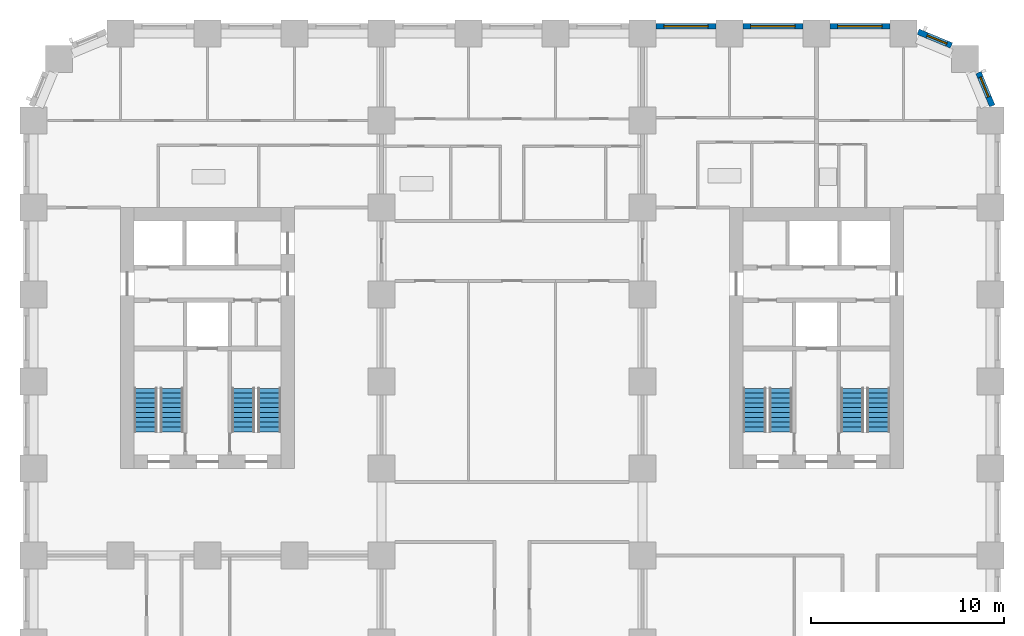
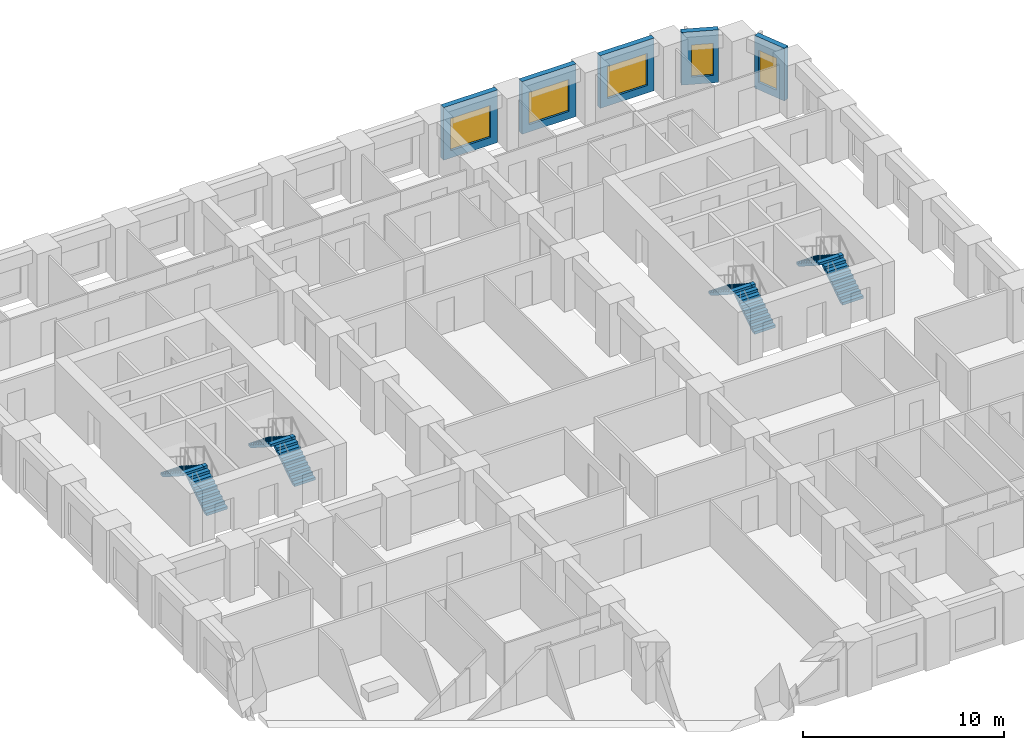
# One storey, part 10 of 13: 8 stair flights, 5 walls, 5 windows, 5 openings, 4 elements without a shape of their own.
"""IFC4 building model written with IfcOpenShell, lengths in metres."""

from ifc_helpers import new_model, si_unit, direction, frame, frame_2d, origin, place, context, subcontext, project, spatial, polyline, rectangle, outline, extrude, material, layer, layer_set, type_object, element, fill, aggregate, save


model = new_model("IFC4")

# Units and contexts
model_context = context("Model", 3, precision=1e-05, world=origin(), true_north=direction((0.0, 1.0)))
body_context = subcontext(model_context, "Body", "Model", "MODEL_VIEW")
ifc_project = project(units=[si_unit("LENGTHUNIT", "METRE"), si_unit("AREAUNIT", "SQUARE_METRE"), si_unit("VOLUMEUNIT", "CUBIC_METRE"), si_unit("PLANEANGLEUNIT", "RADIAN"), si_unit("MASSUNIT", "GRAM", prefix="KILO")], contexts=[model_context])

# Site, building, storey
site_placement = place(None, origin())
site = spatial("IfcSite", under=ifc_project, at=site_placement, CompositionType="ELEMENT")
building_placement = place(site_placement, origin())
building = spatial("IfcBuilding", under=site, at=building_placement, Name="Girih Gate Residences", CompositionType="ELEMENT")
storey_placement = place(building_placement, frame((0.0, 0.0, 49.60009765625)))
storey = spatial("IfcBuildingStorey", under=building, at=storey_placement, Name="L12", CompositionType="ELEMENT", Elevation=49.60009765625)

# Wall, opening, window
ifc_material_1 = material(Name="Precast concrete C50/60", Category="concrete")
ifc_layer_1 = layer(ifc_material_1, 0.080078125, Name="Outer leaf")
ifc_material_2 = material(Name="Rigid PIR insulation")
ifc_layer_2 = layer(ifc_material_2, 0.14990234375, Name="Insulation")
ifc_material_3 = material(Name="Precast concrete C40/50", Category="concrete")
ifc_layer_3 = layer(ifc_material_3, 0.070068359375, Name="Inner leaf")
ifc_layer_set = layer_set([ifc_layer_1, ifc_layer_2, ifc_layer_3], Name="Precast concrete C50/60 external wall 300")
wall_type = type_object("IfcWallType", Name="Precast concrete C50/60 external wall 300", PredefinedType="SOLIDWALL", material=ifc_layer_set)
wall_1_placement = place(storey_placement, frame((48.87841796875, 47.48046875, 0.0), z_axis=(0.0, 0.0, 1.0), x_axis=(0.38262540684, -0.923903565336, 0.0)))
wall_1 = element("IfcWall", 1, at=wall_1_placement, inside=storey, type_object=wall_type, Name="External wall NE0495_0450.0", PredefinedType="SOLIDWALL", context=body_context, shape_type="SweptSolid", body=[
    extrude(rectangle(XDim=1.864990234375, YDim=0.300048828125, at=frame_2d((0.9326171875, 0.0))), origin(), (0.0, 0.0, 1.0), 3.199951171875),
])
opening_1_placement = place(wall_1_placement, frame((0.257568359375, 0.0, 0.449951171875)))
opening_1 = element("IfcOpeningElement", 2, at=opening_1_placement, cuts=wall_1, Name="Opening W-2C", PredefinedType="OPENING", context=body_context, shape_type="SweptSolid", body=[
    extrude(rectangle(XDim=1.10009765625, YDim=1.949951171875, at=frame_2d((0.550048828125, 0.97509765625))), frame((0.0, 0.159912109375, 0.0), z_axis=(0.0, -1.0, 0.0), x_axis=(1.0, 0.0, 0.0)), (0.0, 0.0, 1.0), 0.320068359375),
])
ifc_material_4 = material(Name="Double glazing in aluminium frame", Category="aluminium")
window_type_1 = type_object("IfcWindowType", Name="Window W-2C 1100x1950", PartitioningType="SINGLE_PANEL", PredefinedType="WINDOW", material=ifc_material_4)
window_1_placement = place(opening_1_placement, origin())
window_1 = element("IfcWindow", 3, at=window_1_placement, inside=storey, type_object=window_type_1, Name="Window W-2C NE0495_0450.0", OverallHeight=1.949951171875, OverallWidth=1.10009765625, PartitioningType="SINGLE_PANEL", PredefinedType="WINDOW", context=body_context, shape_type="SweptSolid", body=[
    extrude(rectangle(XDim=1.10009765625, YDim=1.949951171875, at=frame_2d((0.550048828125, 0.97509765625))), frame((0.0, 0.030029296875, 0.0), z_axis=(0.0, -1.0, 0.0), x_axis=(1.0, 0.0, 0.0)), (0.0, 0.0, 1.0), 0.06005859375),
])
fill(opening_1, window_1)

wall_2_placement = place(storey_placement, frame((45.75732421875, 49.59228515625, 0.0), z_axis=(0.0, 0.0, 1.0), x_axis=(0.923857286003, -0.382737135771, 0.0)))
wall_2 = element("IfcWall", 4, at=wall_2_placement, inside=storey, type_object=wall_type, Name="External wall NE0482_0482.0", PredefinedType="SOLIDWALL", context=body_context, shape_type="SweptSolid", body=[
    extrude(rectangle(XDim=1.865234375, YDim=0.300048828125, at=frame_2d((0.9326171875, 0.0))), origin(), (0.0, 0.0, 1.0), 3.199951171875),
])
opening_2_placement = place(wall_2_placement, frame((0.507568359375, 0.0, 0.449951171875)))
opening_2 = element("IfcOpeningElement", 5, at=opening_2_placement, cuts=wall_2, Name="Opening W-2C", PredefinedType="OPENING", context=body_context, shape_type="SweptSolid", body=[
    extrude(rectangle(XDim=1.10009765625, YDim=1.949951171875, at=frame_2d((0.550048828125, 0.97509765625))), frame((0.0, 0.159912109375, 0.0), z_axis=(0.0, -1.0, 0.0), x_axis=(1.0, 0.0, 0.0)), (0.0, 0.0, 1.0), 0.320068359375),
])
window_2_placement = place(opening_2_placement, origin())
window_2 = element("IfcWindow", 6, at=window_2_placement, inside=storey, type_object=window_type_1, Name="Window W-2C NE0482_0482.0", OverallHeight=1.949951171875, OverallWidth=1.10009765625, PartitioningType="SINGLE_PANEL", PredefinedType="WINDOW", context=body_context, shape_type="SweptSolid", body=[
    extrude(rectangle(XDim=1.10009765625, YDim=1.949951171875, at=frame_2d((0.550048828125, 0.97509765625))), frame((0.0, 0.030029296875, 0.0), z_axis=(0.0, -1.0, 0.0), x_axis=(1.0, 0.0, 0.0)), (0.0, 0.0, 1.0), 0.06005859375),
])
fill(opening_2, window_2)

wall_3_placement = place(storey_placement, frame((41.199951171875, 49.875, 0.0), z_axis=(0.0, 0.0, 1.0), x_axis=(1.0, 0.0, 0.0)))
wall_3 = element("IfcWall", 7, at=wall_3_placement, inside=storey, type_object=wall_type, Name="External wall N0450_0495.0", PredefinedType="SOLIDWALL", context=body_context, shape_type="SweptSolid", body=[
    extrude(rectangle(XDim=3.10009765625, YDim=0.300048828125, at=frame_2d((1.550048828125, 0.0))), origin(), (0.0, 0.0, 1.0), 3.199951171875),
])
opening_3_placement = place(wall_3_placement, frame((0.39990234375, 0.0, 0.449951171875)))
opening_3 = element("IfcOpeningElement", 8, at=opening_3_placement, cuts=wall_3, Name="Opening W-1", PredefinedType="OPENING", context=body_context, shape_type="SweptSolid", body=[
    extrude(rectangle(XDim=2.300048828125, YDim=1.949951171875, at=frame_2d((1.14990234375, 0.97509765625))), frame((0.0, 0.159912109375, 0.0), z_axis=(0.0, -1.0, 0.0), x_axis=(1.0, 0.0, 0.0)), (0.0, 0.0, 1.0), 0.320068359375),
])
window_type_2 = type_object("IfcWindowType", Name="Window W-1 2300x1950", PartitioningType="SINGLE_PANEL", PredefinedType="WINDOW", material=ifc_material_4)
window_3_placement = place(opening_3_placement, origin())
window_3 = element("IfcWindow", 9, at=window_3_placement, inside=storey, type_object=window_type_2, Name="Window W-1 N0450_0495.0", OverallHeight=1.949951171875, OverallWidth=2.300048828125, PartitioningType="SINGLE_PANEL", PredefinedType="WINDOW", context=body_context, shape_type="SweptSolid", body=[
    extrude(rectangle(XDim=2.300048828125, YDim=1.949951171875, at=frame_2d((1.14990234375, 0.97509765625))), frame((0.0, 0.030029296875, 0.0), z_axis=(0.0, -1.0, 0.0), x_axis=(1.0, 0.0, 0.0)), (0.0, 0.0, 1.0), 0.06005859375),
])
fill(opening_3, window_3)

wall_4_placement = place(storey_placement, frame((36.699951171875, 49.875, 0.0), z_axis=(0.0, 0.0, 1.0), x_axis=(1.0, 0.0, 0.0)))
wall_4 = element("IfcWall", 10, at=wall_4_placement, inside=storey, type_object=wall_type, Name="External wall N0450_0495.1", PredefinedType="SOLIDWALL", context=body_context, shape_type="SweptSolid", body=[
    extrude(rectangle(XDim=3.10009765625, YDim=0.300048828125, at=frame_2d((1.550048828125, 0.0))), origin(), (0.0, 0.0, 1.0), 3.199951171875),
])
opening_4_placement = place(wall_4_placement, frame((0.39990234375, 0.0, 0.449951171875)))
opening_4 = element("IfcOpeningElement", 11, at=opening_4_placement, cuts=wall_4, Name="Opening W-1", PredefinedType="OPENING", context=body_context, shape_type="SweptSolid", body=[
    extrude(rectangle(XDim=2.300048828125, YDim=1.949951171875, at=frame_2d((1.14990234375, 0.97509765625))), frame((0.0, 0.159912109375, 0.0), z_axis=(0.0, -1.0, 0.0), x_axis=(1.0, 0.0, 0.0)), (0.0, 0.0, 1.0), 0.320068359375),
])
window_4_placement = place(opening_4_placement, origin())
window_4 = element("IfcWindow", 12, at=window_4_placement, inside=storey, type_object=window_type_2, Name="Window W-1 N0450_0495.1", OverallHeight=1.949951171875, OverallWidth=2.300048828125, PartitioningType="SINGLE_PANEL", PredefinedType="WINDOW", context=body_context, shape_type="SweptSolid", body=[
    extrude(rectangle(XDim=2.300048828125, YDim=1.949951171875, at=frame_2d((1.14990234375, 0.97509765625))), frame((0.0, 0.030029296875, 0.0), z_axis=(0.0, -1.0, 0.0), x_axis=(1.0, 0.0, 0.0)), (0.0, 0.0, 1.0), 0.06005859375),
])
fill(opening_4, window_4)

wall_5_placement = place(storey_placement, frame((32.199951171875, 49.875, 0.0), z_axis=(0.0, 0.0, 1.0), x_axis=(1.0, 0.0, 0.0)))
wall_5 = element("IfcWall", 13, at=wall_5_placement, inside=storey, type_object=wall_type, Name="External wall N0450_0495.2", PredefinedType="SOLIDWALL", context=body_context, shape_type="SweptSolid", body=[
    extrude(rectangle(XDim=3.10009765625, YDim=0.300048828125, at=frame_2d((1.550048828125, 0.0))), origin(), (0.0, 0.0, 1.0), 3.199951171875),
])
opening_5_placement = place(wall_5_placement, frame((0.39990234375, 0.0, 0.449951171875)))
opening_5 = element("IfcOpeningElement", 14, at=opening_5_placement, cuts=wall_5, Name="Opening W-1", PredefinedType="OPENING", context=body_context, shape_type="SweptSolid", body=[
    extrude(rectangle(XDim=2.300048828125, YDim=1.949951171875, at=frame_2d((1.14990234375, 0.97509765625))), frame((0.0, 0.159912109375, 0.0), z_axis=(0.0, -1.0, 0.0), x_axis=(1.0, 0.0, 0.0)), (0.0, 0.0, 1.0), 0.320068359375),
])
window_5_placement = place(opening_5_placement, origin())
window_5 = element("IfcWindow", 15, at=window_5_placement, inside=storey, type_object=window_type_2, Name="Window W-1 N0450_0495.2", OverallHeight=1.949951171875, OverallWidth=2.300048828125, PartitioningType="SINGLE_PANEL", PredefinedType="WINDOW", context=body_context, shape_type="SweptSolid", body=[
    extrude(rectangle(XDim=2.300048828125, YDim=1.949951171875, at=frame_2d((1.14990234375, 0.97509765625))), frame((0.0, 0.030029296875, 0.0), z_axis=(0.0, -1.0, 0.0), x_axis=(1.0, 0.0, 0.0)), (0.0, 0.0, 1.0), 0.06005859375),
])
fill(opening_5, window_5)

# Stair, stair flights
ifc_material_5 = material(Name="Concrete C40/50", Category="concrete")
stair_type = type_object("IfcStairType", Name="Exit stair", PredefinedType="HALF_TURN_STAIR", material=ifc_material_5)
stair_1_placement = place(storey_placement, origin())
stair_1 = element("IfcStair", 16, at=stair_1_placement, inside=storey, type_object=stair_type, Name="L12 Exit Stair ST-W1", PredefinedType="HALF_TURN_STAIR")
stair_flight_type = type_object("IfcStairFlightType", Name="Stair flight 1200", PredefinedType="STRAIGHT", material=ifc_material_5)
stair_flight_1_placement = place(storey_placement, frame((7.14990234375, 28.89990234375, 0.0), z_axis=(0.0, 0.0, 1.0), x_axis=(0.0, 1.0, 0.0)))
stair_flight_1 = element("IfcStairFlight", 17, at=stair_flight_1_placement, type_object=stair_flight_type, Name="ST-W1 flight 1", NumberOfRisers=10, NumberOfTreads=9, PredefinedType="STRAIGHT", RiserHeight=0.16, TreadLength=0.25, context=body_context, shape_type="SweptSolid", body=[
    extrude(outline(polyline([(0.0, 0.0), (0.0, 0.159912109375), (0.25, 0.159912109375), (0.25, 0.320068359375), (0.5, 0.320068359375), (0.5, 0.47998046875), (0.75, 0.47998046875), (0.75, 0.639892578125), (1.0, 0.639892578125), (1.0, 0.800048828125), (1.25, 0.800048828125), (1.25, 0.9599609375), (1.5, 0.9599609375), (1.5, 1.1201171875), (1.75, 1.1201171875), (1.75, 1.280029296875), (2.0, 1.280029296875), (2.0, 1.43994140625), (2.25, 1.43994140625), (2.25, 1.60009765625), (2.25, 1.29736328125), (0.222900390625, 0.0), (0.0, 0.0)])), frame((0.0, 0.60009765625, 0.0), z_axis=(0.0, -1.0, 0.0), x_axis=(1.0, 0.0, 0.0)), (0.0, 0.0, 1.0), 1.199951171875),
])
stair_flight_2_placement = place(storey_placement, frame((5.800048828125, 31.14990234375, 1.599853515625), z_axis=(0.0, 0.0, 1.0), x_axis=(0.0, -1.0, 0.0)))
stair_flight_2 = element("IfcStairFlight", 18, at=stair_flight_2_placement, type_object=stair_flight_type, Name="ST-W1 flight 2", NumberOfRisers=10, NumberOfTreads=9, PredefinedType="STRAIGHT", RiserHeight=0.16, TreadLength=0.25, context=body_context, shape_type="SweptSolid", body=[
    extrude(outline(polyline([(0.0, 0.0), (0.0, 0.159912109375), (0.25, 0.159912109375), (0.25, 0.320068359375), (0.5, 0.320068359375), (0.5, 0.47998046875), (0.75, 0.47998046875), (0.75, 0.639892578125), (1.0, 0.639892578125), (1.0, 0.800048828125), (1.25, 0.800048828125), (1.25, 0.9599609375), (1.5, 0.9599609375), (1.5, 1.1201171875), (1.75, 1.1201171875), (1.75, 1.280029296875), (2.0, 1.280029296875), (2.0, 1.43994140625), (2.25, 1.43994140625), (2.25, 1.60009765625), (2.25, 1.29736328125), (0.222900390625, 0.0), (0.0, 0.0)])), frame((0.0, 0.60009765625, 0.0), z_axis=(0.0, -1.0, 0.0), x_axis=(1.0, 0.0, 0.0)), (0.0, 0.0, 1.0), 1.199951171875),
])
aggregate(stair_1, [stair_flight_1, stair_flight_2])

stair_2_placement = place(storey_placement, origin())
stair_2 = element("IfcStair", 19, at=stair_2_placement, inside=storey, type_object=stair_type, Name="L12 Exit Stair ST-W2", PredefinedType="HALF_TURN_STAIR")
stair_flight_3_placement = place(storey_placement, frame((12.199951171875, 28.89990234375, 0.0), z_axis=(0.0, 0.0, 1.0), x_axis=(0.0, 1.0, 0.0)))
stair_flight_3 = element("IfcStairFlight", 20, at=stair_flight_3_placement, type_object=stair_flight_type, Name="ST-W2 flight 1", NumberOfRisers=10, NumberOfTreads=9, PredefinedType="STRAIGHT", RiserHeight=0.16, TreadLength=0.25, context=body_context, shape_type="SweptSolid", body=[
    extrude(outline(polyline([(0.0, 0.0), (0.0, 0.159912109375), (0.25, 0.159912109375), (0.25, 0.320068359375), (0.5, 0.320068359375), (0.5, 0.47998046875), (0.75, 0.47998046875), (0.75, 0.639892578125), (1.0, 0.639892578125), (1.0, 0.800048828125), (1.25, 0.800048828125), (1.25, 0.9599609375), (1.5, 0.9599609375), (1.5, 1.1201171875), (1.75, 1.1201171875), (1.75, 1.280029296875), (2.0, 1.280029296875), (2.0, 1.43994140625), (2.25, 1.43994140625), (2.25, 1.60009765625), (2.25, 1.29736328125), (0.222900390625, 0.0), (0.0, 0.0)])), frame((0.0, 0.60009765625, 0.0), z_axis=(0.0, -1.0, 0.0), x_axis=(1.0, 0.0, 0.0)), (0.0, 0.0, 1.0), 1.199951171875),
])
stair_flight_4_placement = place(storey_placement, frame((10.85009765625, 31.14990234375, 1.599853515625), z_axis=(0.0, 0.0, 1.0), x_axis=(0.0, -1.0, 0.0)))
stair_flight_4 = element("IfcStairFlight", 21, at=stair_flight_4_placement, type_object=stair_flight_type, Name="ST-W2 flight 2", NumberOfRisers=10, NumberOfTreads=9, PredefinedType="STRAIGHT", RiserHeight=0.16, TreadLength=0.25, context=body_context, shape_type="SweptSolid", body=[
    extrude(outline(polyline([(0.0, 0.0), (0.0, 0.159912109375), (0.25, 0.159912109375), (0.25, 0.320068359375), (0.5, 0.320068359375), (0.5, 0.47998046875), (0.75, 0.47998046875), (0.75, 0.639892578125), (1.0, 0.639892578125), (1.0, 0.800048828125), (1.25, 0.800048828125), (1.25, 0.9599609375), (1.5, 0.9599609375), (1.5, 1.1201171875), (1.75, 1.1201171875), (1.75, 1.280029296875), (2.0, 1.280029296875), (2.0, 1.43994140625), (2.25, 1.43994140625), (2.25, 1.60009765625), (2.25, 1.29736328125), (0.222900390625, 0.0), (0.0, 0.0)])), frame((0.0, 0.60009765625, 0.0), z_axis=(0.0, -1.0, 0.0), x_axis=(1.0, 0.0, 0.0)), (0.0, 0.0, 1.0), 1.199951171875),
])
aggregate(stair_2, [stair_flight_3, stair_flight_4])

stair_3_placement = place(storey_placement, origin())
stair_3 = element("IfcStair", 22, at=stair_3_placement, inside=storey, type_object=stair_type, Name="L12 Exit Stair ST-E1", PredefinedType="HALF_TURN_STAIR")
stair_flight_5_placement = place(storey_placement, frame((43.699951171875, 28.89990234375, 0.0), z_axis=(0.0, 0.0, 1.0), x_axis=(0.0, 1.0, 0.0)))
stair_flight_5 = element("IfcStairFlight", 23, at=stair_flight_5_placement, type_object=stair_flight_type, Name="ST-E1 flight 1", NumberOfRisers=10, NumberOfTreads=9, PredefinedType="STRAIGHT", RiserHeight=0.16, TreadLength=0.25, context=body_context, shape_type="SweptSolid", body=[
    extrude(outline(polyline([(0.0, 0.0), (0.0, 0.159912109375), (0.25, 0.159912109375), (0.25, 0.320068359375), (0.5, 0.320068359375), (0.5, 0.47998046875), (0.75, 0.47998046875), (0.75, 0.639892578125), (1.0, 0.639892578125), (1.0, 0.800048828125), (1.25, 0.800048828125), (1.25, 0.9599609375), (1.5, 0.9599609375), (1.5, 1.1201171875), (1.75, 1.1201171875), (1.75, 1.280029296875), (2.0, 1.280029296875), (2.0, 1.43994140625), (2.25, 1.43994140625), (2.25, 1.60009765625), (2.25, 1.29736328125), (0.222900390625, 0.0), (0.0, 0.0)])), frame((0.0, 0.60009765625, 0.0), z_axis=(0.0, -1.0, 0.0), x_axis=(1.0, 0.0, 0.0)), (0.0, 0.0, 1.0), 1.199951171875),
])
stair_flight_6_placement = place(storey_placement, frame((42.35009765625, 31.14990234375, 1.599853515625), z_axis=(0.0, 0.0, 1.0), x_axis=(0.0, -1.0, 0.0)))
stair_flight_6 = element("IfcStairFlight", 24, at=stair_flight_6_placement, type_object=stair_flight_type, Name="ST-E1 flight 2", NumberOfRisers=10, NumberOfTreads=9, PredefinedType="STRAIGHT", RiserHeight=0.16, TreadLength=0.25, context=body_context, shape_type="SweptSolid", body=[
    extrude(outline(polyline([(0.0, 0.0), (0.0, 0.159912109375), (0.25, 0.159912109375), (0.25, 0.320068359375), (0.5, 0.320068359375), (0.5, 0.47998046875), (0.75, 0.47998046875), (0.75, 0.639892578125), (1.0, 0.639892578125), (1.0, 0.800048828125), (1.25, 0.800048828125), (1.25, 0.9599609375), (1.5, 0.9599609375), (1.5, 1.1201171875), (1.75, 1.1201171875), (1.75, 1.280029296875), (2.0, 1.280029296875), (2.0, 1.43994140625), (2.25, 1.43994140625), (2.25, 1.60009765625), (2.25, 1.29736328125), (0.222900390625, 0.0), (0.0, 0.0)])), frame((0.0, 0.60009765625, 0.0), z_axis=(0.0, -1.0, 0.0), x_axis=(1.0, 0.0, 0.0)), (0.0, 0.0, 1.0), 1.199951171875),
])
aggregate(stair_3, [stair_flight_5, stair_flight_6])

stair_4_placement = place(storey_placement, origin())
stair_4 = element("IfcStair", 25, at=stair_4_placement, inside=storey, type_object=stair_type, Name="L12 Exit Stair ST-E2", PredefinedType="HALF_TURN_STAIR")
stair_flight_7_placement = place(storey_placement, frame((38.64990234375, 28.89990234375, 0.0), z_axis=(0.0, 0.0, 1.0), x_axis=(0.0, 1.0, 0.0)))
stair_flight_7 = element("IfcStairFlight", 26, at=stair_flight_7_placement, type_object=stair_flight_type, Name="ST-E2 flight 1", NumberOfRisers=10, NumberOfTreads=9, PredefinedType="STRAIGHT", RiserHeight=0.16, TreadLength=0.25, context=body_context, shape_type="SweptSolid", body=[
    extrude(outline(polyline([(0.0, 0.0), (0.0, 0.159912109375), (0.25, 0.159912109375), (0.25, 0.320068359375), (0.5, 0.320068359375), (0.5, 0.47998046875), (0.75, 0.47998046875), (0.75, 0.639892578125), (1.0, 0.639892578125), (1.0, 0.800048828125), (1.25, 0.800048828125), (1.25, 0.9599609375), (1.5, 0.9599609375), (1.5, 1.1201171875), (1.75, 1.1201171875), (1.75, 1.280029296875), (2.0, 1.280029296875), (2.0, 1.43994140625), (2.25, 1.43994140625), (2.25, 1.60009765625), (2.25, 1.29736328125), (0.222900390625, 0.0), (0.0, 0.0)])), frame((0.0, 0.60009765625, 0.0), z_axis=(0.0, -1.0, 0.0), x_axis=(1.0, 0.0, 0.0)), (0.0, 0.0, 1.0), 1.199951171875),
])
stair_flight_8_placement = place(storey_placement, frame((37.300048828125, 31.14990234375, 1.599853515625), z_axis=(0.0, 0.0, 1.0), x_axis=(0.0, -1.0, 0.0)))
stair_flight_8 = element("IfcStairFlight", 27, at=stair_flight_8_placement, type_object=stair_flight_type, Name="ST-E2 flight 2", NumberOfRisers=10, NumberOfTreads=9, PredefinedType="STRAIGHT", RiserHeight=0.16, TreadLength=0.25, context=body_context, shape_type="SweptSolid", body=[
    extrude(outline(polyline([(0.0, 0.0), (0.0, 0.159912109375), (0.25, 0.159912109375), (0.25, 0.320068359375), (0.5, 0.320068359375), (0.5, 0.47998046875), (0.75, 0.47998046875), (0.75, 0.639892578125), (1.0, 0.639892578125), (1.0, 0.800048828125), (1.25, 0.800048828125), (1.25, 0.9599609375), (1.5, 0.9599609375), (1.5, 1.1201171875), (1.75, 1.1201171875), (1.75, 1.280029296875), (2.0, 1.280029296875), (2.0, 1.43994140625), (2.25, 1.43994140625), (2.25, 1.60009765625), (2.25, 1.29736328125), (0.222900390625, 0.0), (0.0, 0.0)])), frame((0.0, 0.60009765625, 0.0), z_axis=(0.0, -1.0, 0.0), x_axis=(1.0, 0.0, 0.0)), (0.0, 0.0, 1.0), 1.199951171875),
])
aggregate(stair_4, [stair_flight_7, stair_flight_8])

save(model, "model.ifc")
